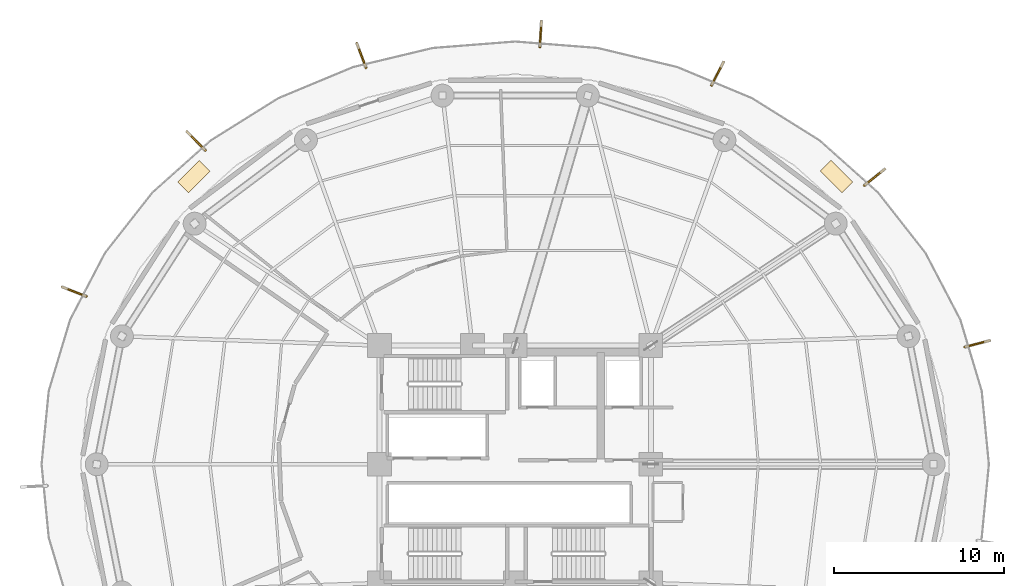
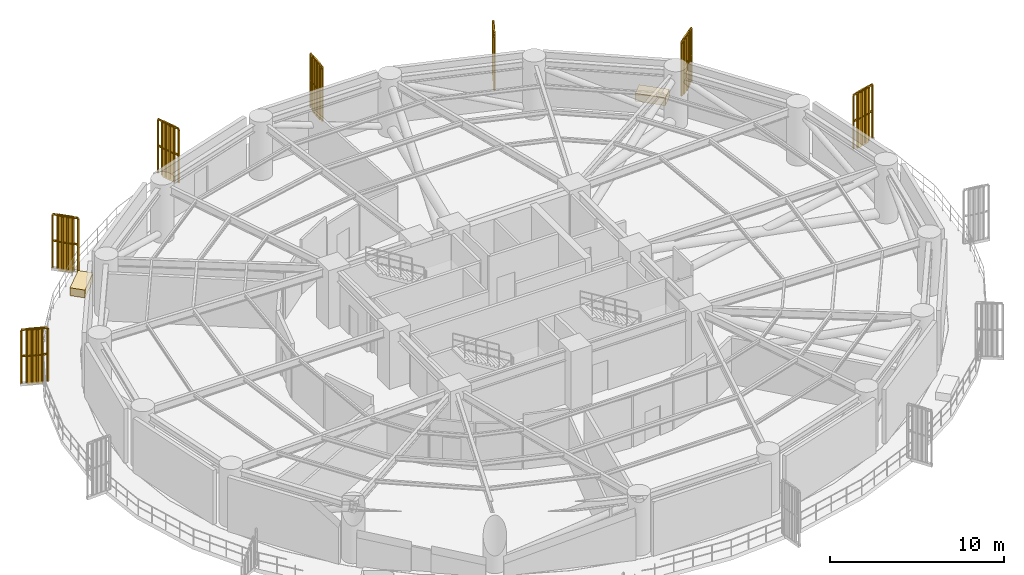
# One storey, part 10 of 10: 7 railings, 7 shading devices, 2 coverings.
"""IFC4 building model written with IfcOpenShell, lengths in metres."""

from ifc_helpers import new_model, si_unit, direction, frame, origin, origin_2d, place, context, subcontext, project, spatial, polyline, rectangle, outline, extrude, source, transform, mapped, material, layer, layer_set, type_object, element, save


model = new_model("IFC4")

# Units and contexts
model_context = context("Model", 3, precision=1e-05, world=origin(), true_north=direction((0.0, 1.0)))
body_context = subcontext(model_context, "Body", "Model", "MODEL_VIEW")
ifc_project = project(units=[si_unit("LENGTHUNIT", "METRE"), si_unit("AREAUNIT", "SQUARE_METRE"), si_unit("VOLUMEUNIT", "CUBIC_METRE"), si_unit("PLANEANGLEUNIT", "RADIAN"), si_unit("MASSUNIT", "GRAM", prefix="KILO")], contexts=[model_context])

# Site, building, storey
site_placement = place(None, origin())
site = spatial("IfcSite", under=ifc_project, at=site_placement, CompositionType="ELEMENT")
building_placement = place(site_placement, origin())
building = spatial("IfcBuilding", under=site, at=building_placement, Name="Kelanora Arch Commons", CompositionType="ELEMENT")
storey_placement = place(building_placement, frame((0.0, 0.0, 72.260009765625)))
storey = spatial("IfcBuildingStorey", under=building, at=storey_placement, Name="L18", CompositionType="ELEMENT", Elevation=72.260009765625)

# Railings
ifc_material_1 = material(Name="Anodised bronze vertical shading fin rib assembly")
railing_type = type_object("IfcRailingType", Name="RAIL-FIN-BRZ", PredefinedType="BALUSTRADE", material=ifc_material_1)
railing_1_placement = place(storey_placement, frame((94.600830078125, 74.457275390625, -0.02001953125)))
element("IfcRailing", 1, at=railing_1_placement, inside=storey, type_object=railing_type, Name="Sweeping Bronze Vertical Fin Blade L18-00", PredefinedType="BALUSTRADE", context=body_context, shape_type="SweptSolid", body=[
    extrude(outline(polyline([(0.06982421875, 0.0), (0.034912109375, 0.060546875), (-0.034912109375, 0.060546875), (-0.06982421875, 0.0), (-0.034912109375, -0.060546875), (0.034912109375, -0.060546875), (0.06982421875, 0.0)])), frame((0.0, 0.0, 3.76025390625), z_axis=(0.781320109616, 0.62413050423, 0.0), x_axis=(-0.62413050423, 0.781320109616, 0.0)), (0.0, 0.0, 1.0), 1.52978515625),
    extrude(outline(polyline([(0.06982421875, 0.0), (0.034912109375, 0.060546875), (-0.034912109375, 0.060546875), (-0.06982421875, 0.0), (-0.034912109375, -0.060546875), (0.034912109375, -0.060546875), (0.06982421875, 0.0)])), frame((0.0, 0.0, 1.9150390625), z_axis=(0.781320109616, 0.62413050423, 0.0), x_axis=(-0.62413050423, 0.781320109616, 0.0)), (0.0, 0.0, 1.0), 1.52978515625),
    extrude(outline(polyline([(0.080078125, 0.0), (0.0400390625, 0.0693359375), (-0.0400390625, 0.0693359375), (-0.080078125, 0.0), (-0.0400390625, -0.0693359375), (0.0400390625, -0.0693359375), (0.080078125, 0.0)])), origin(), (0.0, 0.0, 1.0), 3.690185546875),
    extrude(outline(polyline([(0.080078125, 0.0), (0.0400390625, 0.0693359375), (-0.0400390625, 0.0693359375), (-0.080078125, 0.0), (-0.0400390625, -0.0693359375), (0.0400390625, -0.0693359375), (0.080078125, 0.0)])), frame((0.239013671875, 0.19091796875, 0.0)), (0.0, 0.0, 1.0), 3.690185546875),
    extrude(outline(polyline([(0.080078125, 0.0), (0.0400390625, 0.0693359375), (-0.0400390625, 0.0693359375), (-0.080078125, 0.0), (-0.0400390625, -0.0693359375), (0.0400390625, -0.0693359375), (0.080078125, 0.0)])), frame((0.47802734375, 0.3818359375, 0.0)), (0.0, 0.0, 1.0), 3.690185546875),
    extrude(outline(polyline([(0.080078125, 0.0), (0.0400390625, 0.0693359375), (-0.0400390625, 0.0693359375), (-0.080078125, 0.0), (-0.0400390625, -0.0693359375), (0.0400390625, -0.0693359375), (0.080078125, 0.0)])), frame((0.71728515625, 0.572998046875, 0.0)), (0.0, 0.0, 1.0), 3.690185546875),
    extrude(outline(polyline([(0.080078125, 0.0), (0.0400390625, 0.0693359375), (-0.0400390625, 0.0693359375), (-0.080078125, 0.0), (-0.0400390625, -0.0693359375), (0.0400390625, -0.0693359375), (0.080078125, 0.0)])), frame((0.956298828125, 0.763916015625, 0.0)), (0.0, 0.0, 1.0), 3.690185546875),
    extrude(outline(polyline([(0.080078125, 0.0), (0.0400390625, 0.0693359375), (-0.0400390625, 0.0693359375), (-0.080078125, 0.0), (-0.0400390625, -0.0693359375), (0.0400390625, -0.0693359375), (0.080078125, 0.0)])), frame((1.1953125, 0.954833984375, 0.0)), (0.0, 0.0, 1.0), 3.690185546875),
])
railing_2_placement = place(storey_placement, frame((85.57861328125, 80.3564453125, -0.02001953125)))
element("IfcRailing", 2, at=railing_2_placement, inside=storey, type_object=railing_type, Name="Sweeping Bronze Vertical Fin Blade L18-01", PredefinedType="BALUSTRADE", context=body_context, shape_type="SweptSolid", body=[
    extrude(outline(polyline([(0.06982421875, 0.0), (0.034912109375, 0.060546875), (-0.034912109375, 0.060546875), (-0.06982421875, 0.0), (-0.034912109375, -0.060546875), (0.034912109375, -0.060546875), (0.06982421875, 0.0)])), frame((0.0, 0.0, 3.76025390625), z_axis=(0.459869975519, 0.887986264317, 0.0), x_axis=(-0.887986264317, 0.459869975519, 0.0)), (0.0, 0.0, 1.0), 1.530029296875),
    extrude(outline(polyline([(0.06982421875, 0.0), (0.034912109375, 0.060546875), (-0.034912109375, 0.060546875), (-0.06982421875, 0.0), (-0.034912109375, -0.060546875), (0.034912109375, -0.060546875), (0.06982421875, 0.0)])), frame((0.0, 0.0, 1.9150390625), z_axis=(0.459869975519, 0.887986264317, 0.0), x_axis=(-0.887986264317, 0.459869975519, 0.0)), (0.0, 0.0, 1.0), 1.530029296875),
    extrude(outline(polyline([(0.080078125, 0.0), (0.0400390625, 0.0693359375), (-0.0400390625, 0.0693359375), (-0.080078125, 0.0), (-0.0400390625, -0.0693359375), (0.0400390625, -0.0693359375), (0.080078125, 0.0)])), origin(), (0.0, 0.0, 1.0), 3.690185546875),
    extrude(outline(polyline([(0.080078125, 0.0), (0.0400390625, 0.0693359375), (-0.0400390625, 0.0693359375), (-0.080078125, 0.0), (-0.0400390625, -0.0693359375), (0.0400390625, -0.0693359375), (0.080078125, 0.0)])), frame((0.140625, 0.271728515625, 0.0)), (0.0, 0.0, 1.0), 3.690185546875),
    extrude(outline(polyline([(0.080078125, 0.0), (0.0400390625, 0.0693359375), (-0.0400390625, 0.0693359375), (-0.080078125, 0.0), (-0.0400390625, -0.0693359375), (0.0400390625, -0.0693359375), (0.080078125, 0.0)])), frame((0.281494140625, 0.54345703125, 0.0)), (0.0, 0.0, 1.0), 3.690185546875),
    extrude(outline(polyline([(0.080078125, 0.0), (0.0400390625, 0.0693359375), (-0.0400390625, 0.0693359375), (-0.080078125, 0.0), (-0.0400390625, -0.0693359375), (0.0400390625, -0.0693359375), (0.080078125, 0.0)])), frame((0.422119140625, 0.815185546875, 0.0)), (0.0, 0.0, 1.0), 3.690185546875),
    extrude(outline(polyline([(0.080078125, 0.0), (0.0400390625, 0.0693359375), (-0.0400390625, 0.0693359375), (-0.080078125, 0.0), (-0.0400390625, -0.0693359375), (0.0400390625, -0.0693359375), (0.080078125, 0.0)])), frame((0.56298828125, 1.0869140625, 0.0)), (0.0, 0.0, 1.0), 3.690185546875),
    extrude(outline(polyline([(0.080078125, 0.0), (0.0400390625, 0.0693359375), (-0.0400390625, 0.0693359375), (-0.080078125, 0.0), (-0.0400390625, -0.0693359375), (0.0400390625, -0.0693359375), (0.080078125, 0.0)])), frame((0.70361328125, 1.358642578125, 0.0)), (0.0, 0.0, 1.0), 3.690185546875),
])
railing_3_placement = place(storey_placement, frame((75.453125, 82.605712890625, -0.02001953125)))
element("IfcRailing", 3, at=railing_3_placement, inside=storey, type_object=railing_type, Name="Sweeping Bronze Vertical Fin Blade L18-02", PredefinedType="BALUSTRADE", context=body_context, shape_type="SweptSolid", body=[
    extrude(outline(polyline([(0.06982421875, 0.0), (0.034912109375, 0.060546875), (-0.034912109375, 0.060546875), (-0.06982421875, 0.0), (-0.034912109375, -0.060546875), (0.034912109375, -0.060546875), (0.06982421875, 0.0)])), frame((0.0, 0.0, 3.76025390625), z_axis=(0.059040053931, 0.998255614576, 0.0), x_axis=(-0.998255614576, 0.059040053931, 0.0)), (0.0, 0.0, 1.0), 1.530029296875),
    extrude(outline(polyline([(0.06982421875, 0.0), (0.034912109375, 0.060546875), (-0.034912109375, 0.060546875), (-0.06982421875, 0.0), (-0.034912109375, -0.060546875), (0.034912109375, -0.060546875), (0.06982421875, 0.0)])), frame((0.0, 0.0, 1.9150390625), z_axis=(0.059040053931, 0.998255614576, 0.0), x_axis=(-0.998255614576, 0.059040053931, 0.0)), (0.0, 0.0, 1.0), 1.530029296875),
    extrude(outline(polyline([(0.080078125, 0.0), (0.0400390625, 0.0693359375), (-0.0400390625, 0.0693359375), (-0.080078125, 0.0), (-0.0400390625, -0.0693359375), (0.0400390625, -0.0693359375), (0.080078125, 0.0)])), origin(), (0.0, 0.0, 1.0), 3.690185546875),
    extrude(outline(polyline([(0.080078125, 0.0), (0.0400390625, 0.0693359375), (-0.0400390625, 0.0693359375), (-0.080078125, 0.0), (-0.0400390625, -0.0693359375), (0.0400390625, -0.0693359375), (0.080078125, 0.0)])), frame((0.01806640625, 0.305419921875, 0.0)), (0.0, 0.0, 1.0), 3.690185546875),
    extrude(outline(polyline([(0.080078125, 0.0), (0.0400390625, 0.0693359375), (-0.0400390625, 0.0693359375), (-0.080078125, 0.0), (-0.0400390625, -0.0693359375), (0.0400390625, -0.0693359375), (0.080078125, 0.0)])), frame((0.0361328125, 0.61083984375, 0.0)), (0.0, 0.0, 1.0), 3.690185546875),
    extrude(outline(polyline([(0.080078125, 0.0), (0.0400390625, 0.0693359375), (-0.0400390625, 0.0693359375), (-0.080078125, 0.0), (-0.0400390625, -0.0693359375), (0.0400390625, -0.0693359375), (0.080078125, 0.0)])), frame((0.05419921875, 0.91650390625, 0.0)), (0.0, 0.0, 1.0), 3.690185546875),
    extrude(outline(polyline([(0.080078125, 0.0), (0.0400390625, 0.0693359375), (-0.0400390625, 0.0693359375), (-0.080078125, 0.0), (-0.0400390625, -0.0693359375), (0.0400390625, -0.0693359375), (0.080078125, 0.0)])), frame((0.072265625, 1.221923828125, 0.0)), (0.0, 0.0, 1.0), 3.690185546875),
    extrude(outline(polyline([(0.080078125, 0.0), (0.0400390625, 0.0693359375), (-0.0400390625, 0.0693359375), (-0.080078125, 0.0), (-0.0400390625, -0.0693359375), (0.0400390625, -0.0693359375), (0.080078125, 0.0)])), frame((0.09033203125, 1.52734375, 0.0)), (0.0, 0.0, 1.0), 3.690185546875),
])
railing_4_placement = place(storey_placement, frame((65.1982421875, 81.39208984375, -0.02001953125)))
element("IfcRailing", 4, at=railing_4_placement, inside=storey, type_object=railing_type, Name="Sweeping Bronze Vertical Fin Blade L18-03", PredefinedType="BALUSTRADE", context=body_context, shape_type="SweptSolid", body=[
    extrude(outline(polyline([(0.06982421875, 0.0), (0.034912109375, 0.060546875), (-0.034912109375, 0.060546875), (-0.06982421875, 0.0), (-0.034912109375, -0.060546875), (0.034912109375, -0.060546875), (0.06982421875, 0.0)])), frame((0.0, 0.0, 3.76025390625), z_axis=(-0.352189985761, 0.935928530353, 0.0), x_axis=(-0.935928530353, -0.352189985761, 0.0)), (0.0, 0.0, 1.0), 1.530029296875),
    extrude(outline(polyline([(0.06982421875, 0.0), (0.034912109375, 0.060546875), (-0.034912109375, 0.060546875), (-0.06982421875, 0.0), (-0.034912109375, -0.060546875), (0.034912109375, -0.060546875), (0.06982421875, 0.0)])), frame((0.0, 0.0, 1.9150390625), z_axis=(-0.352189985761, 0.935928530353, 0.0), x_axis=(-0.935928530353, -0.352189985761, 0.0)), (0.0, 0.0, 1.0), 1.530029296875),
    extrude(outline(polyline([(0.080078125, 0.0), (0.0400390625, 0.0693359375), (-0.0400390625, 0.0693359375), (-0.080078125, 0.0), (-0.0400390625, -0.0693359375), (0.0400390625, -0.0693359375), (0.080078125, 0.0)])), origin(), (0.0, 0.0, 1.0), 3.690185546875),
    extrude(outline(polyline([(0.080078125, 0.0), (0.0400390625, 0.0693359375), (-0.0400390625, 0.0693359375), (-0.080078125, 0.0), (-0.0400390625, -0.0693359375), (0.0400390625, -0.0693359375), (0.080078125, 0.0)])), frame((-0.107666015625, 0.286376953125, 0.0)), (0.0, 0.0, 1.0), 3.690185546875),
    extrude(outline(polyline([(0.080078125, 0.0), (0.0400390625, 0.0693359375), (-0.0400390625, 0.0693359375), (-0.080078125, 0.0), (-0.0400390625, -0.0693359375), (0.0400390625, -0.0693359375), (0.080078125, 0.0)])), frame((-0.215576171875, 0.57275390625, 0.0)), (0.0, 0.0, 1.0), 3.690185546875),
    extrude(outline(polyline([(0.080078125, 0.0), (0.0400390625, 0.0693359375), (-0.0400390625, 0.0693359375), (-0.080078125, 0.0), (-0.0400390625, -0.0693359375), (0.0400390625, -0.0693359375), (0.080078125, 0.0)])), frame((-0.3232421875, 0.859130859375, 0.0)), (0.0, 0.0, 1.0), 3.690185546875),
    extrude(outline(polyline([(0.080078125, 0.0), (0.0400390625, 0.0693359375), (-0.0400390625, 0.0693359375), (-0.080078125, 0.0), (-0.0400390625, -0.0693359375), (0.0400390625, -0.0693359375), (0.080078125, 0.0)])), frame((-0.43115234375, 1.1455078125, 0.0)), (0.0, 0.0, 1.0), 3.690185546875),
    extrude(outline(polyline([(0.080078125, 0.0), (0.0400390625, 0.0693359375), (-0.0400390625, 0.0693359375), (-0.080078125, 0.0), (-0.0400390625, -0.0693359375), (0.0400390625, -0.0693359375), (0.080078125, 0.0)])), frame((-0.538818359375, 1.431884765625, 0.0)), (0.0, 0.0, 1.0), 3.690185546875),
])
railing_5_placement = place(storey_placement, frame((55.7197265625, 76.5244140625, -0.02001953125)))
element("IfcRailing", 5, at=railing_5_placement, inside=storey, type_object=railing_type, Name="Sweeping Bronze Vertical Fin Blade L18-04", PredefinedType="BALUSTRADE", context=body_context, shape_type="SweptSolid", body=[
    extrude(outline(polyline([(0.06982421875, 0.0), (0.034912109375, 0.060546875), (-0.034912109375, 0.060546875), (-0.06982421875, 0.0), (-0.034912109375, -0.060546875), (0.034912109375, -0.060546875), (0.06982421875, 0.0)])), frame((0.0, 0.0, 3.76025390625), z_axis=(-0.702463865488, 0.711719409377, 0.0), x_axis=(-0.711719409377, -0.702463865488, 0.0)), (0.0, 0.0, 1.0), 1.530029296875),
    extrude(outline(polyline([(0.06982421875, 0.0), (0.034912109375, 0.060546875), (-0.034912109375, 0.060546875), (-0.06982421875, 0.0), (-0.034912109375, -0.060546875), (0.034912109375, -0.060546875), (0.06982421875, 0.0)])), frame((0.0, 0.0, 1.9150390625), z_axis=(-0.702463865488, 0.711719409377, 0.0), x_axis=(-0.711719409377, -0.702463865488, 0.0)), (0.0, 0.0, 1.0), 1.530029296875),
    extrude(outline(polyline([(0.080078125, 0.0), (0.0400390625, 0.0693359375), (-0.0400390625, 0.0693359375), (-0.080078125, 0.0), (-0.0400390625, -0.0693359375), (0.0400390625, -0.0693359375), (0.080078125, 0.0)])), origin(), (0.0, 0.0, 1.0), 3.690185546875),
    extrude(outline(polyline([(0.080078125, 0.0), (0.0400390625, 0.0693359375), (-0.0400390625, 0.0693359375), (-0.080078125, 0.0), (-0.0400390625, -0.0693359375), (0.0400390625, -0.0693359375), (0.080078125, 0.0)])), frame((-0.21484375, 0.2177734375, 0.0)), (0.0, 0.0, 1.0), 3.690185546875),
    extrude(outline(polyline([(0.080078125, 0.0), (0.0400390625, 0.0693359375), (-0.0400390625, 0.0693359375), (-0.080078125, 0.0), (-0.0400390625, -0.0693359375), (0.0400390625, -0.0693359375), (0.080078125, 0.0)])), frame((-0.429931640625, 0.435546875, 0.0)), (0.0, 0.0, 1.0), 3.690185546875),
    extrude(outline(polyline([(0.080078125, 0.0), (0.0400390625, 0.0693359375), (-0.0400390625, 0.0693359375), (-0.080078125, 0.0), (-0.0400390625, -0.0693359375), (0.0400390625, -0.0693359375), (0.080078125, 0.0)])), frame((-0.644775390625, 0.6533203125, 0.0)), (0.0, 0.0, 1.0), 3.690185546875),
    extrude(outline(polyline([(0.080078125, 0.0), (0.0400390625, 0.0693359375), (-0.0400390625, 0.0693359375), (-0.080078125, 0.0), (-0.0400390625, -0.0693359375), (0.0400390625, -0.0693359375), (0.080078125, 0.0)])), frame((-0.85986328125, 0.87109375, 0.0)), (0.0, 0.0, 1.0), 3.690185546875),
    extrude(outline(polyline([(0.080078125, 0.0), (0.0400390625, 0.0693359375), (-0.0400390625, 0.0693359375), (-0.080078125, 0.0), (-0.0400390625, -0.0693359375), (0.0400390625, -0.0693359375), (0.080078125, 0.0)])), frame((-1.07470703125, 1.0888671875, 0.0)), (0.0, 0.0, 1.0), 3.690185546875),
])
railing_6_placement = place(storey_placement, frame((48.708251953125, 67.901611328125, -0.02001953125)))
element("IfcRailing", 6, at=railing_6_placement, inside=storey, type_object=railing_type, Name="Sweeping Bronze Vertical Fin Blade L18-05", PredefinedType="BALUSTRADE", context=body_context, shape_type="SweptSolid", body=[
    extrude(outline(polyline([(0.06982421875, 0.0), (0.034912109375, 0.060546875), (-0.034912109375, 0.060546875), (-0.06982421875, 0.0), (-0.034912109375, -0.060546875), (0.034912109375, -0.060546875), (0.06982421875, 0.0)])), frame((0.0, 0.0, 3.76025390625), z_axis=(-0.931223944508, 0.36444747931, 0.0), x_axis=(-0.36444747931, -0.931223944508, 0.0)), (0.0, 0.0, 1.0), 1.530029296875),
    extrude(outline(polyline([(0.06982421875, 0.0), (0.034912109375, 0.060546875), (-0.034912109375, 0.060546875), (-0.06982421875, 0.0), (-0.034912109375, -0.060546875), (0.034912109375, -0.060546875), (0.06982421875, 0.0)])), frame((0.0, 0.0, 1.9150390625), z_axis=(-0.931223944508, 0.36444747931, 0.0), x_axis=(-0.36444747931, -0.931223944508, 0.0)), (0.0, 0.0, 1.0), 1.530029296875),
    extrude(outline(polyline([(0.080078125, 0.0), (0.0400390625, 0.0693359375), (-0.0400390625, 0.0693359375), (-0.080078125, 0.0), (-0.0400390625, -0.0693359375), (0.0400390625, -0.0693359375), (0.080078125, 0.0)])), origin(), (0.0, 0.0, 1.0), 3.690185546875),
    extrude(outline(polyline([(0.080078125, 0.0), (0.0400390625, 0.0693359375), (-0.0400390625, 0.0693359375), (-0.080078125, 0.0), (-0.0400390625, -0.0693359375), (0.0400390625, -0.0693359375), (0.080078125, 0.0)])), frame((-0.284912109375, 0.111572265625, 0.0)), (0.0, 0.0, 1.0), 3.690185546875),
    extrude(outline(polyline([(0.080078125, 0.0), (0.0400390625, 0.0693359375), (-0.0400390625, 0.0693359375), (-0.080078125, 0.0), (-0.0400390625, -0.0693359375), (0.0400390625, -0.0693359375), (0.080078125, 0.0)])), frame((-0.56982421875, 0.22314453125, 0.0)), (0.0, 0.0, 1.0), 3.690185546875),
    extrude(outline(polyline([(0.080078125, 0.0), (0.0400390625, 0.0693359375), (-0.0400390625, 0.0693359375), (-0.080078125, 0.0), (-0.0400390625, -0.0693359375), (0.0400390625, -0.0693359375), (0.080078125, 0.0)])), frame((-0.85498046875, 0.33447265625, 0.0)), (0.0, 0.0, 1.0), 3.690185546875),
    extrude(outline(polyline([(0.080078125, 0.0), (0.0400390625, 0.0693359375), (-0.0400390625, 0.0693359375), (-0.080078125, 0.0), (-0.0400390625, -0.0693359375), (0.0400390625, -0.0693359375), (0.080078125, 0.0)])), frame((-1.139892578125, 0.446044921875, 0.0)), (0.0, 0.0, 1.0), 3.690185546875),
    extrude(outline(polyline([(0.080078125, 0.0), (0.0400390625, 0.0693359375), (-0.0400390625, 0.0693359375), (-0.080078125, 0.0), (-0.0400390625, -0.0693359375), (0.0400390625, -0.0693359375), (0.080078125, 0.0)])), frame((-1.4248046875, 0.5576171875, 0.0)), (0.0, 0.0, 1.0), 3.690185546875),
])
railing_7_placement = place(storey_placement, frame((100.510009765625, 64.915283203125, -0.02001953125)))
element("IfcRailing", 7, at=railing_7_placement, inside=storey, type_object=railing_type, Name="Sweeping Bronze Vertical Fin Blade L18-14", PredefinedType="BALUSTRADE", context=body_context, shape_type="SweptSolid", body=[
    extrude(outline(polyline([(0.06982421875, 0.0), (0.034912109375, 0.060546875), (-0.034912109375, 0.060546875), (-0.06982421875, 0.0), (-0.034912109375, -0.060546875), (0.034912109375, -0.060546875), (0.06982421875, 0.0)])), frame((0.0, 0.0, 3.76025390625), z_axis=(0.967613883277, 0.252434888414, 0.0), x_axis=(-0.252434888414, 0.967613883277, 0.0)), (0.0, 0.0, 1.0), 1.530029296875),
    extrude(outline(polyline([(0.06982421875, 0.0), (0.034912109375, 0.060546875), (-0.034912109375, 0.060546875), (-0.06982421875, 0.0), (-0.034912109375, -0.060546875), (0.034912109375, -0.060546875), (0.06982421875, 0.0)])), frame((0.0, 0.0, 1.9150390625), z_axis=(0.967613883277, 0.252434888414, 0.0), x_axis=(-0.252434888414, 0.967613883277, 0.0)), (0.0, 0.0, 1.0), 1.530029296875),
    extrude(outline(polyline([(0.080078125, 0.0), (0.0400390625, 0.0693359375), (-0.0400390625, 0.0693359375), (-0.080078125, 0.0), (-0.0400390625, -0.0693359375), (0.0400390625, -0.0693359375), (0.080078125, 0.0)])), origin(), (0.0, 0.0, 1.0), 3.690185546875),
    extrude(outline(polyline([(0.080078125, 0.0), (0.0400390625, 0.0693359375), (-0.0400390625, 0.0693359375), (-0.080078125, 0.0), (-0.0400390625, -0.0693359375), (0.0400390625, -0.0693359375), (0.080078125, 0.0)])), frame((0.296142578125, 0.0771484375, 0.0)), (0.0, 0.0, 1.0), 3.690185546875),
    extrude(outline(polyline([(0.080078125, 0.0), (0.0400390625, 0.0693359375), (-0.0400390625, 0.0693359375), (-0.080078125, 0.0), (-0.0400390625, -0.0693359375), (0.0400390625, -0.0693359375), (0.080078125, 0.0)])), frame((0.59228515625, 0.154541015625, 0.0)), (0.0, 0.0, 1.0), 3.690185546875),
    extrude(outline(polyline([(0.080078125, 0.0), (0.0400390625, 0.0693359375), (-0.0400390625, 0.0693359375), (-0.080078125, 0.0), (-0.0400390625, -0.0693359375), (0.0400390625, -0.0693359375), (0.080078125, 0.0)])), frame((0.88818359375, 0.231689453125, 0.0)), (0.0, 0.0, 1.0), 3.690185546875),
    extrude(outline(polyline([(0.080078125, 0.0), (0.0400390625, 0.0693359375), (-0.0400390625, 0.0693359375), (-0.080078125, 0.0), (-0.0400390625, -0.0693359375), (0.0400390625, -0.0693359375), (0.080078125, 0.0)])), frame((1.184326171875, 0.30908203125, 0.0)), (0.0, 0.0, 1.0), 3.690185546875),
    extrude(outline(polyline([(0.080078125, 0.0), (0.0400390625, 0.0693359375), (-0.0400390625, 0.0693359375), (-0.080078125, 0.0), (-0.0400390625, -0.0693359375), (0.0400390625, -0.0693359375), (0.080078125, 0.0)])), frame((1.48046875, 0.38623046875, 0.0)), (0.0, 0.0, 1.0), 3.690185546875),
])

# Coverings
ifc_material_2 = material(Name="Architectural terracotta planter bed with planting soil", Category="masonry")
ifc_layer = layer(ifc_material_2, 0.550048828125)
ifc_layer_set = layer_set([ifc_layer], Name="Architectural terracotta planter bed with planting soil")
covering_type = type_object("IfcCoveringType", Name="COV-PLANTER", PredefinedType="USERDEFINED", material=ifc_layer_set)
shared_shape_1 = source(origin(), body_context, "Body", "SweptSolid", [
    extrude(rectangle(XDim=1.800048828125, YDim=0.89990234375, at=origin_2d()), origin(), (0.0, 0.0, 1.0), 0.550048828125),
])
for number, where, z_axis, x_axis, name in (
    (8, (92.950439453125, 74.970703125, 0.0), (0.0, 0.0, 1.0), (-0.707106781187, 0.707106781187, 0.0), "Sky-Terrace Planter L18-1"),
    (9, (55.049560546875, 74.970703125, 0.0), (0.0, 0.0, 1.0), (-0.707106781187, -0.707106781187, 0.0), "Sky-Terrace Planter L18-2"),
):
    element("IfcCovering", number, at=place(storey_placement, frame(where, z_axis=z_axis, x_axis=x_axis)), inside=storey, type_object=covering_type, Name=name, ObjectType="PLANTER", PredefinedType="USERDEFINED", context=body_context, shape_type="MappedRepresentation", body=[
        mapped(shared_shape_1, transform((0.0, 0.0, 0.0), scale=1.0)),
    ])

# Shading devices
ifc_material_3 = material(Name="Terracotta ceramic-clad extruded aluminium fin", Category="masonry")
shading_device_type = type_object("IfcShadingDeviceType", Name="SHD-FIN-FLARE", PredefinedType="USERDEFINED", material=ifc_material_3)
shared_shape_2 = source(origin(), body_context, "Body", "SweptSolid", [
    extrude(rectangle(XDim=0.8798828125, YDim=0.090087890625, at=origin_2d()), origin(), (0.0, 0.0, 1.0), 3.949951171875),
])
for number, where, z_axis, x_axis, name in (
    (10, (95.163330078125, 74.906494140625, -0.14013671875), (0.0, 0.0, 1.0), (0.781302649748, 0.624152360803, 0.0), "Sweeping Terracotta Fin L18-00"),
    (11, (85.90966796875, 80.995849609375, -0.14013671875), (0.0, 0.0, 1.0), (0.459889850721, 0.887975971074, 0.0), "Sweeping Terracotta Fin L18-01"),
    (12, (75.49560546875, 83.324462890625, -0.14013671875), (0.0, 0.0, 1.0), (0.058957918535, 0.998260468937, 0.0), "Sweeping Terracotta Fin L18-02"),
    (13, (64.944580078125, 82.06591796875, -0.14013671875), (0.0, 0.0, 1.0), (-0.352168373381, 0.935936662809, 0.0), "Sweeping Terracotta Fin L18-03"),
    (14, (55.214111328125, 77.036865234375, -0.14013671875), (0.0, 0.0, 1.0), (-0.70240155419, 0.711780904964, 0.0), "Sweeping Terracotta Fin L18-04"),
    (15, (48.037841796875, 68.1640625, -0.14013671875), (0.0, 0.0, 1.0), (-0.931183125162, 0.364551762325, 0.0), "Sweeping Terracotta Fin L18-05"),
    (16, (101.206787109375, 65.096923828125, -0.14013671875), (0.0, 0.0, 1.0), (0.967621122723, 0.252407137104, 0.0), "Sweeping Terracotta Fin L18-14"),
):
    element("IfcShadingDevice", number, at=place(storey_placement, frame(where, z_axis=z_axis, x_axis=x_axis)), inside=storey, type_object=shading_device_type, Name=name, ObjectType="FIN", PredefinedType="USERDEFINED", context=body_context, shape_type="MappedRepresentation", body=[
        mapped(shared_shape_2, transform((0.0, 0.0, 0.0), scale=1.0)),
    ])

save(model, "model.ifc")
